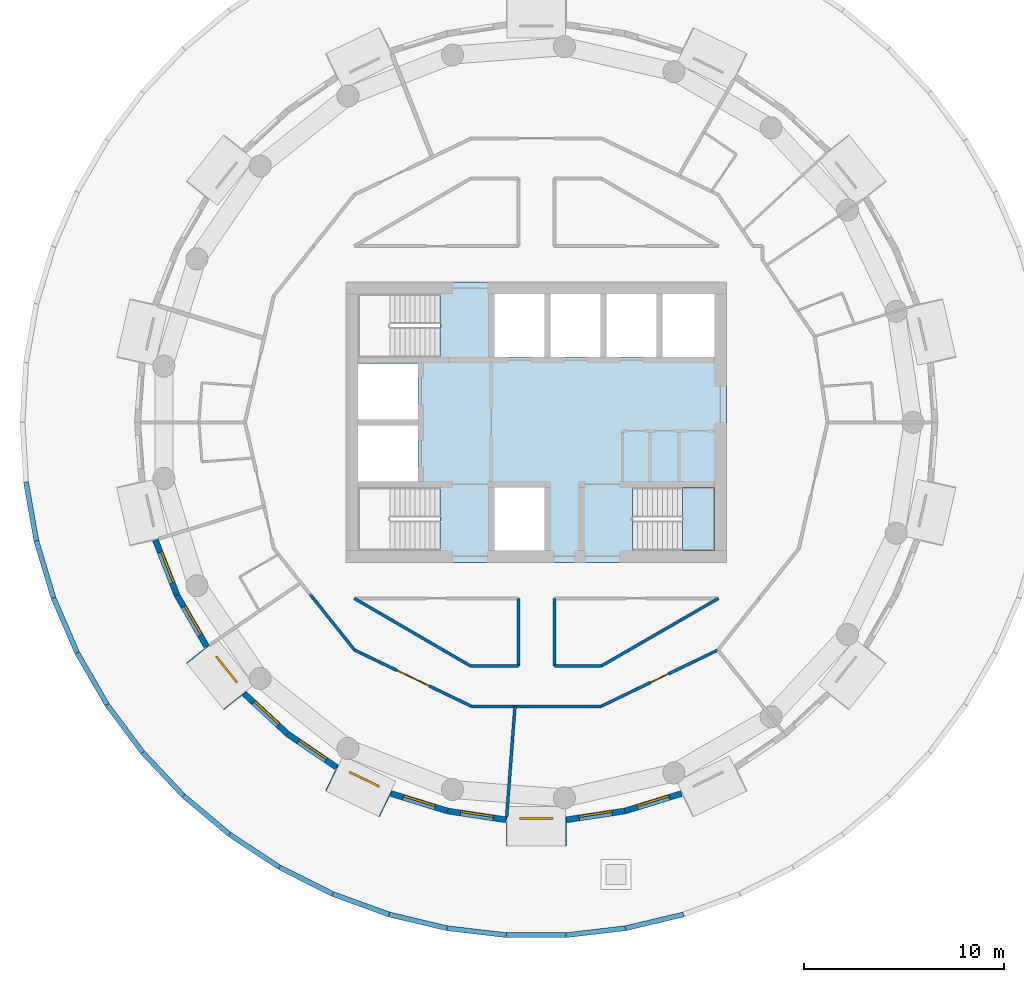
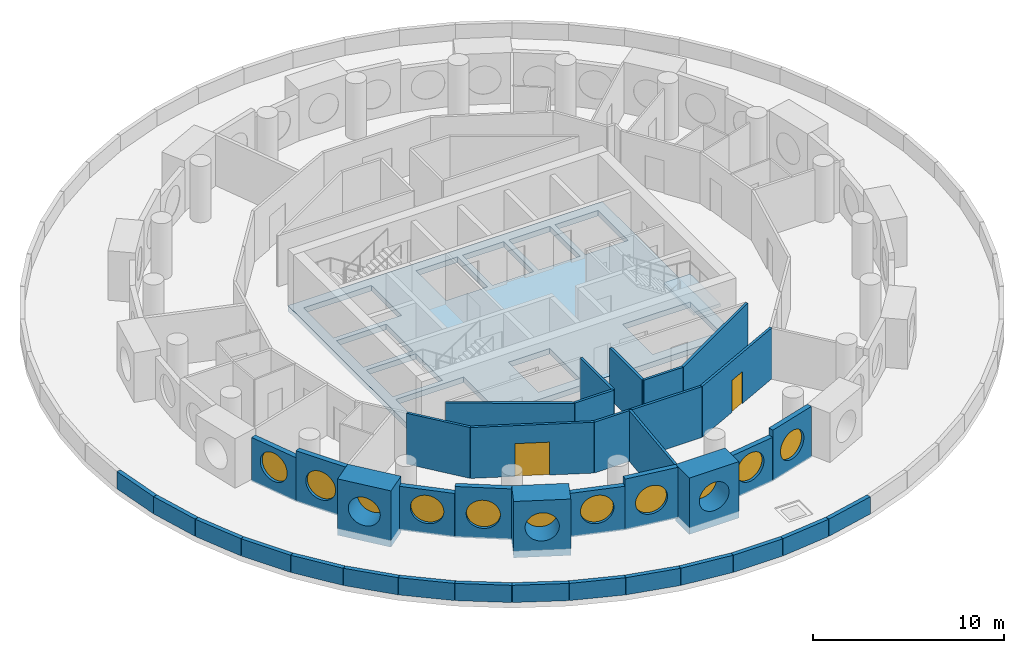
# One storey, part 2 of 13: 37 walls, 11 windows, 2 doors, 2 slabs, 13 openings, 1 element without a shape of its own.
"""IFC4 building model written with IfcOpenShell, lengths in metres."""

from ifc_helpers import new_model, si_unit, direction, frame, frame_2d, origin, origin_2d, place, context, subcontext, project, spatial, polyline, rectangle, circle, outline, extrude, material, layer, layer_set, type_object, element, fill, aggregate, save


model = new_model("IFC4")

# Units and contexts
model_context = context("Model", 3, precision=1e-05, world=origin(), true_north=direction((0.0, 1.0)))
body_context = subcontext(model_context, "Body", "Model", "MODEL_VIEW")
ifc_project = project(units=[si_unit("LENGTHUNIT", "METRE"), si_unit("AREAUNIT", "SQUARE_METRE"), si_unit("VOLUMEUNIT", "CUBIC_METRE"), si_unit("PLANEANGLEUNIT", "RADIAN"), si_unit("MASSUNIT", "GRAM", prefix="KILO")], contexts=[model_context])

# Site, building, storey
site_placement = place(None, origin())
site = spatial("IfcSite", under=ifc_project, at=site_placement, CompositionType="ELEMENT")
building_placement = place(site_placement, origin())
building = spatial("IfcBuilding", under=site, at=building_placement, Name="Tracery Tower", CompositionType="ELEMENT")
storey_placement = place(building_placement, frame((0.0, 0.0, 231.0)))
storey = spatial("IfcBuildingStorey", under=building, at=storey_placement, Name="L59", CompositionType="ELEMENT", Elevation=231.0)

# Slab
ifc_material_1 = material(Name="Concrete C40/50", Category="concrete")
ifc_layer_1 = layer(ifc_material_1, 0.35009765625)
ifc_layer_set_1 = layer_set([ifc_layer_1], Name="Core floor slab 350 C40")
slab_type_1 = type_object("IfcSlabType", Name="Core floor slab 350 C40", PredefinedType="FLOOR", material=ifc_layer_set_1)
slab_1_placement = place(storey_placement, frame((0.0, 0.0, -0.35009765625)))
element("IfcSlab", 1, at=slab_1_placement, inside=storey, type_object=slab_type_1, Name="L59 core floor 1", PredefinedType="FLOOR", context=body_context, shape_type="SweptSolid", body=[
    extrude(outline(polyline([(-9.5, 7.0), (9.5, 7.0), (9.5, -7.0), (-9.5, -7.0), (-9.5, 7.0)]), holes=[polyline([(8.89990234375, -6.39990234375), (8.89990234375, -3.25), (4.800537109375, -3.25), (4.800537109375, -6.39990234375), (8.89990234375, -6.39990234375)]), polyline([(8.89990234375, 3.25), (8.89990234375, 6.39990234375), (6.300048828125, 6.39990234375), (6.300048828125, 3.25), (8.89990234375, 3.25)]), polyline([(6.0, 3.25), (6.0, 6.39990234375), (3.5, 6.39990234375), (3.5, 3.25), (6.0, 3.25)]), polyline([(3.199951171875, 6.39990234375), (0.699951171875, 6.39990234375), (0.699951171875, 3.25), (3.199951171875, 3.25), (3.199951171875, 6.39990234375)]), polyline([(0.39990234375, -3.25), (-2.10009765625, -3.25), (-2.10009765625, -6.39990234375), (0.39990234375, -6.39990234375), (0.39990234375, -3.25)]), polyline([(0.39990234375, 6.39990234375), (-2.10009765625, 6.39990234375), (-2.10009765625, 3.25), (0.39990234375, 3.25), (0.39990234375, 6.39990234375)]), polyline([(-8.89990234375, -3.25), (-8.89990234375, -6.39990234375), (-4.800537109375, -6.39990234375), (-4.800537109375, -3.25), (-8.89990234375, -3.25)]), polyline([(-8.89990234375, 6.39990234375), (-8.89990234375, 3.25), (-4.800537109375, 3.25), (-4.800537109375, 6.39990234375), (-8.89990234375, 6.39990234375)]), polyline([(-5.89990234375, -2.949951171875), (-5.89990234375, -0.14990234375), (-8.89990234375, -0.14990234375), (-8.89990234375, -2.949951171875), (-5.89990234375, -2.949951171875)]), polyline([(-5.89990234375, 0.14990234375), (-5.89990234375, 2.949951171875), (-8.89990234375, 2.949951171875), (-8.89990234375, 0.14990234375), (-5.89990234375, 0.14990234375)])]), origin(), (0.0, 0.0, 1.0), 0.35009765625),
])

# Stair, slab
ifc_material_2 = material(Name="Concrete C32/40", Category="concrete")
stair_type = type_object("IfcStairType", Name="Core stair 22 risers", PredefinedType="HALF_TURN_STAIR", material=ifc_material_2)
stair_placement = place(storey_placement, origin())
stair = element("IfcStair", 2, at=stair_placement, inside=storey, type_object=stair_type, Name="L59 stair ST2", PredefinedType="HALF_TURN_STAIR")
ifc_material_3 = material(Name="Concrete C32/40", Category="concrete")
ifc_layer_2 = layer(ifc_material_3, 0.199951171875)
ifc_layer_set_2 = layer_set([ifc_layer_2], Name="Stair landing slab 200")
slab_type_2 = type_object("IfcSlabType", Name="Stair landing slab 200", PredefinedType="LANDING", material=ifc_layer_set_2)
slab_2_placement = place(storey_placement, frame((0.0, 0.0, 1.60009765625)))
slab_2 = element("IfcSlab", 3, at=slab_2_placement, type_object=slab_type_2, Name="ST2 landing 1", PredefinedType="LANDING", context=body_context, shape_type="SweptSolid", body=[
    extrude(outline(polyline([(7.29931640625, -6.39990234375), (8.89990234375, -6.39990234375), (8.89990234375, -3.25), (7.29931640625, -3.25), (7.29931640625, -6.39990234375)])), origin(), (0.0, 0.0, 1.0), 0.199951171875),
])
aggregate(stair, [slab_2])

# Wall, opening, window
ifc_material_4 = material(Name="Precast concrete C50/60", Category="concrete")
ifc_layer_3 = layer(ifc_material_4, 1.449951171875)
ifc_layer_set_3 = layer_set([ifc_layer_3], Name="Deep-set bay unit 3000 x 3600, slab edge 350")
wall_type_1 = type_object("IfcWallType", Name="Deep-set bay unit 3000 x 3600, slab edge 350", PredefinedType="ELEMENTEDWALL", material=ifc_layer_set_3)
wall_1_placement = place(storey_placement, frame((-16.916748046875, -11.572021484375, -0.35009765625), z_axis=(0.0, 0.0, 1.0), x_axis=(0.623523286312, -0.781804778335, 0.0)))
wall_1 = element("IfcWall", 4, at=wall_1_placement, inside=storey, type_object=wall_type_1, Name="Deep-set bay unit 26 at L59", PredefinedType="ELEMENTEDWALL", context=body_context, shape_type="SweptSolid", body=[
    extrude(rectangle(XDim=3.0, YDim=1.449951171875, at=frame_2d((1.5, 0.0))), origin(), (0.0, 0.0, 1.0), 3.60009765625),
])
opening_1_placement = place(wall_1_placement, frame((1.5, 0.0, 1.89990234375)))
opening_1 = element("IfcOpeningElement", 5, at=opening_1_placement, cuts=wall_1, Name="Opening WN1", PredefinedType="OPENING", context=body_context, shape_type="SweptSolid", body=[
    extrude(circle(Radius=0.9000244140625, at=origin_2d()), frame((0.0, 0.73486328125, 0.0), z_axis=(0.0, -1.0, 0.0), x_axis=(1.0, 0.0, 0.0)), (0.0, 0.0, 1.0), 1.469970703125),
])
ifc_material_5 = material(Name="Aluminium frame with tinted double glazing", Category="aluminium")
window_type = type_object("IfcWindowType", Name="Round window 1800", PartitioningType="SINGLE_PANEL", PredefinedType="WINDOW", material=ifc_material_5)
window_1_placement = place(opening_1_placement, origin())
window_1 = element("IfcWindow", 6, at=window_1_placement, inside=storey, type_object=window_type, Name="Round window 26 at L59", OverallHeight=1.800048828125, OverallWidth=1.800048828125, PartitioningType="SINGLE_PANEL", PredefinedType="WINDOW", context=body_context, shape_type="SweptSolid", body=[
    extrude(circle(Radius=0.9000244140625, at=origin_2d()), frame((0.0, 0.69482421875, 0.0), z_axis=(0.0, -1.0, 0.0), x_axis=(1.0, 0.0, 0.0)), (0.0, 0.0, 1.0), 0.10009765625),
])
fill(opening_1, window_1)

wall_2_placement = place(storey_placement, frame((-10.220458984375, -17.765869140625, -0.35009765625), z_axis=(0.0, 0.0, 1.0), x_axis=(0.900953362039, -0.433915935904, 0.0)))
wall_2 = element("IfcWall", 7, at=wall_2_placement, inside=storey, type_object=wall_type_1, Name="Deep-set bay unit 29 at L59", PredefinedType="ELEMENTEDWALL", context=body_context, shape_type="SweptSolid", body=[
    extrude(rectangle(XDim=3.0, YDim=1.449951171875, at=frame_2d((1.5, 0.0))), origin(), (0.0, 0.0, 1.0), 3.60009765625),
])
opening_2_placement = place(wall_2_placement, frame((1.5, 0.0, 1.89990234375)))
opening_2 = element("IfcOpeningElement", 8, at=opening_2_placement, cuts=wall_2, Name="Opening WN1", PredefinedType="OPENING", context=body_context, shape_type="SweptSolid", body=[
    extrude(circle(Radius=0.9000244140625, at=origin_2d()), frame((0.0, 0.73486328125, 0.0), z_axis=(0.0, -1.0, 0.0), x_axis=(1.0, 0.0, 0.0)), (0.0, 0.0, 1.0), 1.469970703125),
])
window_2_placement = place(opening_2_placement, origin())
window_2 = element("IfcWindow", 9, at=window_2_placement, inside=storey, type_object=window_type, Name="Round window 29 at L59", OverallHeight=1.800048828125, OverallWidth=1.800048828125, PartitioningType="SINGLE_PANEL", PredefinedType="WINDOW", context=body_context, shape_type="SweptSolid", body=[
    extrude(circle(Radius=0.9000244140625, at=origin_2d()), frame((0.0, 0.69482421875, 0.0), z_axis=(0.0, -1.0, 0.0), x_axis=(1.0, 0.0, 0.0)), (0.0, 0.0, 1.0), 0.10009765625),
])
fill(opening_2, window_2)

wall_3_placement = place(storey_placement, frame((-1.5, -20.441162109375, -0.35009765625), z_axis=(0.0, 0.0, 1.0), x_axis=(1.0, 0.0, 0.0)))
wall_3 = element("IfcWall", 10, at=wall_3_placement, inside=storey, type_object=wall_type_1, Name="Deep-set bay unit 32 at L59", PredefinedType="ELEMENTEDWALL", context=body_context, shape_type="SweptSolid", body=[
    extrude(rectangle(XDim=3.0, YDim=1.449951171875, at=frame_2d((1.5, 0.0))), origin(), (0.0, 0.0, 1.0), 3.60009765625),
])
opening_3_placement = place(wall_3_placement, frame((1.5, 0.0, 1.89990234375)))
opening_3 = element("IfcOpeningElement", 11, at=opening_3_placement, cuts=wall_3, Name="Opening WN1", PredefinedType="OPENING", context=body_context, shape_type="SweptSolid", body=[
    extrude(circle(Radius=0.9000244140625, at=origin_2d()), frame((0.0, 0.73486328125, 0.0), z_axis=(0.0, -1.0, 0.0), x_axis=(1.0, 0.0, 0.0)), (0.0, 0.0, 1.0), 1.469970703125),
])
window_3_placement = place(opening_3_placement, origin())
window_3 = element("IfcWindow", 12, at=window_3_placement, inside=storey, type_object=window_type, Name="Round window 32 at L59", OverallHeight=1.800048828125, OverallWidth=1.800048828125, PartitioningType="SINGLE_PANEL", PredefinedType="WINDOW", context=body_context, shape_type="SweptSolid", body=[
    extrude(circle(Radius=0.9000244140625, at=origin_2d()), frame((0.0, 0.69482421875, 0.0), z_axis=(0.0, -1.0, 0.0), x_axis=(1.0, 0.0, 0.0)), (0.0, 0.0, 1.0), 0.10009765625),
])
fill(opening_3, window_3)

ifc_material_6 = material(Name="Precast concrete C50/60", Category="concrete")
ifc_layer_4 = layer(ifc_material_6, 0.300048828125)
ifc_layer_set_4 = layer_set([ifc_layer_4], Name="Facade panel 3000 x 2800")
wall_type_2 = type_object("IfcWallType", Name="Facade panel 3000 x 2800", PredefinedType="SOLIDWALL", material=ifc_layer_set_4)
wall_4_placement = place(storey_placement, frame((-19.03125, -5.88623046875, 0.0), z_axis=(0.0, 0.0, 1.0), x_axis=(0.365343821297, -0.930872650925, 0.0)))
wall_4 = element("IfcWall", 13, at=wall_4_placement, inside=storey, type_object=wall_type_2, Name="Facade panel 24 at L59", PredefinedType="SOLIDWALL", context=body_context, shape_type="SweptSolid", body=[
    extrude(rectangle(XDim=2.96240234375, YDim=0.300048828125, at=frame_2d((1.481201171875, 0.0))), origin(), (0.0, 0.0, 1.0), 2.800048828125),
])
opening_4_placement = place(wall_4_placement, frame((1.48095703125, 0.0, 1.5498046875)))
opening_4 = element("IfcOpeningElement", 14, at=opening_4_placement, cuts=wall_4, Name="Opening WN1", PredefinedType="OPENING", context=body_context, shape_type="SweptSolid", body=[
    extrude(circle(Radius=0.9000244140625, at=origin_2d()), frame((0.0, 0.159912109375, 0.0), z_axis=(0.0, -1.0, 0.0), x_axis=(1.0, 0.0, 0.0)), (0.0, 0.0, 1.0), 0.320068359375),
])
window_4_placement = place(opening_4_placement, origin())
window_4 = element("IfcWindow", 15, at=window_4_placement, inside=storey, type_object=window_type, Name="Round window 24 at L59", OverallHeight=1.800048828125, OverallWidth=1.800048828125, PartitioningType="SINGLE_PANEL", PredefinedType="WINDOW", context=body_context, shape_type="SweptSolid", body=[
    extrude(circle(Radius=0.9000244140625, at=origin_2d()), frame((0.0, 0.1201171875, 0.0), z_axis=(0.0, -1.0, 0.0), x_axis=(1.0, 0.0, 0.0)), (0.0, 0.0, 1.0), 0.10009765625),
])
fill(opening_4, window_4)

wall_5_placement = place(storey_placement, frame((-14.592529296875, -13.560546875, 0.0), z_axis=(0.0, 0.0, 1.0), x_axis=(0.733028283666, -0.680198158882, 0.0)))
wall_5 = element("IfcWall", 16, at=wall_5_placement, inside=storey, type_object=wall_type_2, Name="Facade panel 27 at L59", PredefinedType="SOLIDWALL", context=body_context, shape_type="SweptSolid", body=[
    extrude(rectangle(XDim=2.962158203125, YDim=0.300048828125, at=frame_2d((1.48095703125, 0.0))), origin(), (0.0, 0.0, 1.0), 2.800048828125),
])
opening_5_placement = place(wall_5_placement, frame((1.48095703125, 0.0, 1.5498046875)))
opening_5 = element("IfcOpeningElement", 17, at=opening_5_placement, cuts=wall_5, Name="Opening WN1", PredefinedType="OPENING", context=body_context, shape_type="SweptSolid", body=[
    extrude(circle(Radius=0.9000244140625, at=origin_2d()), frame((0.0, 0.159912109375, 0.0), z_axis=(0.0, -1.0, 0.0), x_axis=(1.0, 0.0, 0.0)), (0.0, 0.0, 1.0), 0.320068359375),
])
window_5_placement = place(opening_5_placement, origin())
window_5 = element("IfcWindow", 18, at=window_5_placement, inside=storey, type_object=window_type, Name="Round window 27 at L59", OverallHeight=1.800048828125, OverallWidth=1.800048828125, PartitioningType="SINGLE_PANEL", PredefinedType="WINDOW", context=body_context, shape_type="SweptSolid", body=[
    extrude(circle(Radius=0.9000244140625, at=origin_2d()), frame((0.0, 0.1201171875, 0.0), z_axis=(0.0, -1.0, 0.0), x_axis=(1.0, 0.0, 0.0)), (0.0, 0.0, 1.0), 0.10009765625),
])
fill(opening_5, window_5)

wall_6_placement = place(storey_placement, frame((-7.263671875, -18.549072265625, 0.0), z_axis=(0.0, 0.0, 1.0), x_axis=(0.955555982805, -0.29480970765, 0.0)))
wall_6 = element("IfcWall", 19, at=wall_6_placement, inside=storey, type_object=wall_type_2, Name="Facade panel 30 at L59", PredefinedType="SOLIDWALL", context=body_context, shape_type="SweptSolid", body=[
    extrude(rectangle(XDim=2.962158203125, YDim=0.300048828125, at=frame_2d((1.48095703125, 0.0))), origin(), (0.0, 0.0, 1.0), 2.800048828125),
])
opening_6_placement = place(wall_6_placement, frame((1.48095703125, 0.0, 1.5498046875)))
opening_6 = element("IfcOpeningElement", 20, at=opening_6_placement, cuts=wall_6, Name="Opening WN1", PredefinedType="OPENING", context=body_context, shape_type="SweptSolid", body=[
    extrude(circle(Radius=0.9000244140625, at=origin_2d()), frame((0.0, 0.159912109375, 0.0), z_axis=(0.0, -1.0, 0.0), x_axis=(1.0, 0.0, 0.0)), (0.0, 0.0, 1.0), 0.320068359375),
])
window_6_placement = place(opening_6_placement, origin())
window_6 = element("IfcWindow", 21, at=window_6_placement, inside=storey, type_object=window_type, Name="Round window 30 at L59", OverallHeight=1.800048828125, OverallWidth=1.800048828125, PartitioningType="SINGLE_PANEL", PredefinedType="WINDOW", context=body_context, shape_type="SweptSolid", body=[
    extrude(circle(Radius=0.9000244140625, at=origin_2d()), frame((0.0, 0.1201171875, 0.0), z_axis=(0.0, -1.0, 0.0), x_axis=(1.0, 0.0, 0.0)), (0.0, 0.0, 1.0), 0.10009765625),
])
fill(opening_6, window_6)

wall_7_placement = place(storey_placement, frame((1.50390625, -19.86376953125, 0.0), z_axis=(0.0, 0.0, 1.0), x_axis=(0.988835775663, 0.149009425104, 0.0)))
wall_7 = element("IfcWall", 22, at=wall_7_placement, inside=storey, type_object=wall_type_2, Name="Facade panel 33 at L59", PredefinedType="SOLIDWALL", context=body_context, shape_type="SweptSolid", body=[
    extrude(rectangle(XDim=2.962158203125, YDim=0.300048828125, at=frame_2d((1.48095703125, 0.0))), origin(), (0.0, 0.0, 1.0), 2.800048828125),
])
opening_7_placement = place(wall_7_placement, frame((1.48095703125, 0.0, 1.5498046875)))
opening_7 = element("IfcOpeningElement", 23, at=opening_7_placement, cuts=wall_7, Name="Opening WN1", PredefinedType="OPENING", context=body_context, shape_type="SweptSolid", body=[
    extrude(circle(Radius=0.9000244140625, at=origin_2d()), frame((0.0, 0.159912109375, 0.0), z_axis=(0.0, -1.0, 0.0), x_axis=(1.0, 0.0, 0.0)), (0.0, 0.0, 1.0), 0.320068359375),
])
window_7_placement = place(opening_7_placement, origin())
window_7 = element("IfcWindow", 24, at=window_7_placement, inside=storey, type_object=window_type, Name="Round window 33 at L59", OverallHeight=1.800048828125, OverallWidth=1.800048828125, PartitioningType="SINGLE_PANEL", PredefinedType="WINDOW", context=body_context, shape_type="SweptSolid", body=[
    extrude(circle(Radius=0.9000244140625, at=origin_2d()), frame((0.0, 0.1201171875, 0.0), z_axis=(0.0, -1.0, 0.0), x_axis=(1.0, 0.0, 0.0)), (0.0, 0.0, 1.0), 0.10009765625),
])
fill(opening_7, window_7)

ifc_material_7 = material(Name="Precast concrete C50/60", Category="concrete")
ifc_layer_5 = layer(ifc_material_7, 0.300048828125)
ifc_layer_set_5 = layer_set([ifc_layer_5], Name="Facade panel 3000 x 3250")
wall_type_3 = type_object("IfcWallType", Name="Facade panel 3000 x 3250", PredefinedType="SOLIDWALL", material=ifc_layer_set_5)
wall_8_placement = place(storey_placement, frame((-17.948974609375, -8.643798828125, 0.0), z_axis=(0.0, 0.0, 1.0), x_axis=(0.500012570604, -0.866018146021, 0.0)))
wall_8 = element("IfcWall", 25, at=wall_8_placement, inside=storey, type_object=wall_type_3, Name="Facade panel 25 at L59", PredefinedType="SOLIDWALL", context=body_context, shape_type="SweptSolid", body=[
    extrude(rectangle(XDim=2.96240234375, YDim=0.300048828125, at=frame_2d((1.481201171875, 0.0))), origin(), (0.0, 0.0, 1.0), 3.25),
])
opening_8_placement = place(wall_8_placement, frame((1.48095703125, 0.0, 1.5498046875)))
opening_8 = element("IfcOpeningElement", 26, at=opening_8_placement, cuts=wall_8, Name="Opening WN1", PredefinedType="OPENING", context=body_context, shape_type="SweptSolid", body=[
    extrude(circle(Radius=0.9000244140625, at=origin_2d()), frame((0.0, 0.159912109375, 0.0), z_axis=(0.0, -1.0, 0.0), x_axis=(1.0, 0.0, 0.0)), (0.0, 0.0, 1.0), 0.320068359375),
])
window_8_placement = place(opening_8_placement, origin())
window_8 = element("IfcWindow", 27, at=window_8_placement, inside=storey, type_object=window_type, Name="Round window 25 at L59", OverallHeight=1.800048828125, OverallWidth=1.800048828125, PartitioningType="SINGLE_PANEL", PredefinedType="WINDOW", context=body_context, shape_type="SweptSolid", body=[
    extrude(circle(Radius=0.9000244140625, at=origin_2d()), frame((0.0, 0.1201171875, 0.0), z_axis=(0.0, -1.0, 0.0), x_axis=(1.0, 0.0, 0.0)), (0.0, 0.0, 1.0), 0.10009765625),
])
fill(opening_8, window_8)

wall_9_placement = place(storey_placement, frame((-12.421142578125, -15.575439453125, 0.0), z_axis=(0.0, 0.0, 1.0), x_axis=(0.826236061068, -0.563324037646, 0.0)))
wall_9 = element("IfcWall", 28, at=wall_9_placement, inside=storey, type_object=wall_type_3, Name="Facade panel 28 at L59", PredefinedType="SOLIDWALL", context=body_context, shape_type="SweptSolid", body=[
    extrude(rectangle(XDim=2.962158203125, YDim=0.300048828125, at=frame_2d((1.48095703125, 0.0))), origin(), (0.0, 0.0, 1.0), 3.25),
])
opening_9_placement = place(wall_9_placement, frame((1.48095703125, 0.0, 1.5498046875)))
opening_9 = element("IfcOpeningElement", 29, at=opening_9_placement, cuts=wall_9, Name="Opening WN1", PredefinedType="OPENING", context=body_context, shape_type="SweptSolid", body=[
    extrude(circle(Radius=0.9000244140625, at=origin_2d()), frame((0.0, 0.159912109375, 0.0), z_axis=(0.0, -1.0, 0.0), x_axis=(1.0, 0.0, 0.0)), (0.0, 0.0, 1.0), 0.320068359375),
])
window_9_placement = place(opening_9_placement, origin())
window_9 = element("IfcWindow", 30, at=window_9_placement, inside=storey, type_object=window_type, Name="Round window 28 at L59", OverallHeight=1.800048828125, OverallWidth=1.800048828125, PartitioningType="SINGLE_PANEL", PredefinedType="WINDOW", context=body_context, shape_type="SweptSolid", body=[
    extrude(circle(Radius=0.9000244140625, at=origin_2d()), frame((0.0, 0.1201171875, 0.0), z_axis=(0.0, -1.0, 0.0), x_axis=(1.0, 0.0, 0.0)), (0.0, 0.0, 1.0), 0.10009765625),
])
fill(opening_9, window_9)

wall_10_placement = place(storey_placement, frame((-4.43310546875, -19.42236328125, 0.0), z_axis=(0.0, 0.0, 1.0), x_axis=(0.988835775663, -0.149009425104, 0.0)))
wall_10 = element("IfcWall", 31, at=wall_10_placement, inside=storey, type_object=wall_type_3, Name="Facade panel 31 at L59", PredefinedType="SOLIDWALL", context=body_context, shape_type="SweptSolid", body=[
    extrude(rectangle(XDim=2.962158203125, YDim=0.300048828125, at=frame_2d((1.48095703125, 0.0))), origin(), (0.0, 0.0, 1.0), 3.25),
])
opening_10_placement = place(wall_10_placement, frame((1.48095703125, 0.0, 1.5498046875)))
opening_10 = element("IfcOpeningElement", 32, at=opening_10_placement, cuts=wall_10, Name="Opening WN1", PredefinedType="OPENING", context=body_context, shape_type="SweptSolid", body=[
    extrude(circle(Radius=0.9000244140625, at=origin_2d()), frame((0.0, 0.159912109375, 0.0), z_axis=(0.0, -1.0, 0.0), x_axis=(1.0, 0.0, 0.0)), (0.0, 0.0, 1.0), 0.320068359375),
])
window_10_placement = place(opening_10_placement, origin())
window_10 = element("IfcWindow", 33, at=window_10_placement, inside=storey, type_object=window_type, Name="Round window 31 at L59", OverallHeight=1.800048828125, OverallWidth=1.800048828125, PartitioningType="SINGLE_PANEL", PredefinedType="WINDOW", context=body_context, shape_type="SweptSolid", body=[
    extrude(circle(Radius=0.9000244140625, at=origin_2d()), frame((0.0, 0.1201171875, 0.0), z_axis=(0.0, -1.0, 0.0), x_axis=(1.0, 0.0, 0.0)), (0.0, 0.0, 1.0), 0.10009765625),
])
fill(opening_10, window_10)

wall_11_placement = place(storey_placement, frame((4.43310546875, -19.42236328125, 0.0), z_axis=(0.0, 0.0, 1.0), x_axis=(0.955555982805, 0.29480970765, 0.0)))
wall_11 = element("IfcWall", 34, at=wall_11_placement, inside=storey, type_object=wall_type_3, Name="Facade panel 34 at L59", PredefinedType="SOLIDWALL", context=body_context, shape_type="SweptSolid", body=[
    extrude(rectangle(XDim=2.962158203125, YDim=0.300048828125, at=frame_2d((1.48095703125, 0.0))), origin(), (0.0, 0.0, 1.0), 3.25),
])
opening_11_placement = place(wall_11_placement, frame((1.48095703125, 0.0, 1.5498046875)))
opening_11 = element("IfcOpeningElement", 35, at=opening_11_placement, cuts=wall_11, Name="Opening WN1", PredefinedType="OPENING", context=body_context, shape_type="SweptSolid", body=[
    extrude(circle(Radius=0.9000244140625, at=origin_2d()), frame((0.0, 0.159912109375, 0.0), z_axis=(0.0, -1.0, 0.0), x_axis=(1.0, 0.0, 0.0)), (0.0, 0.0, 1.0), 0.320068359375),
])
window_11_placement = place(opening_11_placement, origin())
window_11 = element("IfcWindow", 36, at=window_11_placement, inside=storey, type_object=window_type, Name="Round window 34 at L59", OverallHeight=1.800048828125, OverallWidth=1.800048828125, PartitioningType="SINGLE_PANEL", PredefinedType="WINDOW", context=body_context, shape_type="SweptSolid", body=[
    extrude(circle(Radius=0.9000244140625, at=origin_2d()), frame((0.0, 0.1201171875, 0.0), z_axis=(0.0, -1.0, 0.0), x_axis=(1.0, 0.0, 0.0)), (0.0, 0.0, 1.0), 0.10009765625),
])
fill(opening_11, window_11)

# Walls
ifc_material_8 = material(Name="Plasterboard on steel studs", Category="steel")
ifc_layer_6 = layer(ifc_material_8, 0.14990234375)
ifc_layer_set_6 = layer_set([ifc_layer_6], Name="Partition 150 acoustic unit wall")
wall_type_4 = type_object("IfcWallType", Name="Partition 150 acoustic unit wall", PredefinedType="PARTITIONING", material=ifc_layer_set_6)
wall_12_placement = place(storey_placement, frame((-1.47802734375, -19.716064453125, 0.0), z_axis=(0.0, 0.0, 1.0), x_axis=(0.074745027699, 0.997202677912, 0.0)))
element("IfcWall", 37, at=wall_12_placement, inside=storey, type_object=wall_type_4, Name="Unit wall RC1-069", PredefinedType="PARTITIONING", context=body_context, shape_type="SweptSolid", body=[
    extrude(rectangle(XDim=5.53955078125, YDim=0.14990234375, at=frame_2d((2.769775390625, 0.0))), origin(), (0.0, 0.0, 1.0), 3.25),
])
ifc_material_9 = material(Name="Plasterboard on steel studs", Category="steel")
ifc_layer_7 = layer(ifc_material_9, 0.14990234375)
ifc_layer_set_7 = layer_set([ifc_layer_7], Name="Partition 150 corridor wall")
wall_type_5 = type_object("IfcWallType", Name="Partition 150 corridor wall", PredefinedType="PARTITIONING", material=ifc_layer_set_7)
wall_13_placement = place(storey_placement, frame((-9.092041015625, -8.800048828125, 0.0), z_axis=(0.0, 0.0, 1.0), x_axis=(0.864470922103, -0.502682827277, 0.0)))
element("IfcWall", 38, at=wall_13_placement, inside=storey, type_object=wall_type_5, Name="Corridor wall RC1-012", PredefinedType="PARTITIONING", context=body_context, shape_type="SweptSolid", body=[
    extrude(rectangle(XDim=6.7353515625, YDim=0.14990234375, at=frame_2d((3.36767578125, 0.0))), origin(), (0.0, 0.0, 1.0), 3.25),
])
wall_14_placement = place(storey_placement, frame((-11.300048828125, -8.59619140625, 0.0), z_axis=(0.0, 0.0, 1.0), x_axis=(0.623165080354, -0.782090328944, 0.0)))
element("IfcWall", 39, at=wall_14_placement, inside=storey, type_object=wall_type_5, Name="Corridor wall RC1-015", PredefinedType="PARTITIONING", context=body_context, shape_type="SweptSolid", body=[
    extrude(rectangle(XDim=3.56396484375, YDim=0.14990234375, at=frame_2d((1.781982421875, 0.0))), origin(), (0.0, 0.0, 1.0), 3.25),
])
wall_15_placement = place(storey_placement, frame((-3.260986328125, -12.1708984375, 0.0), z_axis=(0.0, 0.0, 1.0), x_axis=(1.0, 0.0, 0.0)))
element("IfcWall", 40, at=wall_15_placement, inside=storey, type_object=wall_type_5, Name="Corridor wall RC1-037", PredefinedType="PARTITIONING", context=body_context, shape_type="SweptSolid", body=[
    extrude(rectangle(XDim=2.361083984375, YDim=0.14990234375, at=frame_2d((1.1806640625, 0.0))), origin(), (0.0, 0.0, 1.0), 3.25),
])
for number, where, z_axis, x_axis, name in (
    (41, (-0.89990234375, -12.1708984375, 0.0), (0.0, 0.0, 1.0), (0.0, 1.0, 0.0), "Corridor wall RC1-038"),
    (42, (0.89990234375, -12.1708984375, 0.0), (0.0, 0.0, 1.0), (0.0, 1.0, 0.0), "Corridor wall RC1-039"),
):
    element("IfcWall", number, at=place(storey_placement, frame(where, z_axis=z_axis, x_axis=x_axis)), inside=storey, type_object=wall_type_5, Name=name, PredefinedType="PARTITIONING", context=body_context, shape_type="SweptSolid", body=[
        extrude(rectangle(XDim=3.370849609375, YDim=0.14990234375, at=frame_2d((1.685546875, 0.0))), origin(), (0.0, 0.0, 1.0), 3.25),
    ])
wall_16_placement = place(storey_placement, frame((0.89990234375, -12.1708984375, 0.0), z_axis=(0.0, 0.0, 1.0), x_axis=(1.0, 0.0, 0.0)))
element("IfcWall", 43, at=wall_16_placement, inside=storey, type_object=wall_type_5, Name="Corridor wall RC1-040", PredefinedType="PARTITIONING", context=body_context, shape_type="SweptSolid", body=[
    extrude(rectangle(XDim=2.361083984375, YDim=0.14990234375, at=frame_2d((1.1806640625, 0.0))), origin(), (0.0, 0.0, 1.0), 3.25),
])
wall_17_placement = place(storey_placement, frame((3.260986328125, -12.1708984375, 0.0), z_axis=(0.0, 0.0, 1.0), x_axis=(0.866066809554, 0.499928276245, 0.0)))
element("IfcWall", 44, at=wall_17_placement, inside=storey, type_object=wall_type_5, Name="Corridor wall RC1-041", PredefinedType="PARTITIONING", context=body_context, shape_type="SweptSolid", body=[
    extrude(rectangle(XDim=6.74267578125, YDim=0.14990234375, at=frame_2d((3.371337890625, 0.0))), origin(), (0.0, 0.0, 1.0), 3.25),
])
wall_18_placement = place(storey_placement, frame((-3.239013671875, -14.19189453125, 0.0), z_axis=(0.0, 0.0, 1.0), x_axis=(1.0, 0.0, 0.0)))
element("IfcWall", 45, at=wall_18_placement, inside=storey, type_object=wall_type_5, Name="Corridor wall RC1-042", PredefinedType="PARTITIONING", context=body_context, shape_type="SweptSolid", body=[
    extrude(rectangle(XDim=6.47802734375, YDim=0.14990234375, at=frame_2d((3.239013671875, 0.0))), origin(), (0.0, 0.0, 1.0), 3.25),
])

# Wall, opening, door
wall_19_placement = place(storey_placement, frame((-9.075927734375, -11.381103515625, 0.0), z_axis=(0.0, 0.0, 1.0), x_axis=(0.900976027191, -0.433868872388, 0.0)))
wall_19 = element("IfcWall", 46, at=wall_19_placement, inside=storey, type_object=wall_type_5, Name="Corridor wall RC1-043", PredefinedType="PARTITIONING", context=body_context, shape_type="SweptSolid", body=[
    extrude(rectangle(XDim=6.478515625, YDim=0.14990234375, at=frame_2d((3.2392578125, 0.0))), origin(), (0.0, 0.0, 1.0), 3.25),
])
opening_12_placement = place(wall_19_placement, frame((2.339599609375, 0.0, 0.0)))
opening_12 = element("IfcOpeningElement", 47, at=opening_12_placement, cuts=wall_19, Name="Opening RC1-20", PredefinedType="OPENING", context=body_context, shape_type="SweptSolid", body=[
    extrude(rectangle(XDim=1.800048828125, YDim=2.10009765625, at=frame_2d((0.89990234375, 1.050048828125))), frame((0.0, 0.074951171875, 0.0), z_axis=(0.0, -1.0, 0.0), x_axis=(1.0, 0.0, 0.0)), (0.0, 0.0, 1.0), 0.14990234375),
])
ifc_material_10 = material(Name="Timber door leaf", Category="wood")
door_type_1 = type_object("IfcDoorType", Name="Door double lounge 1800", OperationType="NOTDEFINED", PredefinedType="DOOR", material=ifc_material_10)
door_1_placement = place(opening_12_placement, origin())
door_1 = element("IfcDoor", 48, at=door_1_placement, inside=storey, type_object=door_type_1, Name="Double lounge door RC1-20", OperationType="DOUBLE_DOOR_SINGLE_SWING", OverallHeight=2.10009765625, OverallWidth=1.800048828125, PredefinedType="DOOR", context=body_context, shape_type="SweptSolid", body=[
    extrude(rectangle(XDim=1.800048828125, YDim=2.10009765625, at=frame_2d((0.89990234375, 1.050048828125))), frame((0.0, 0.02490234375, 0.0), z_axis=(0.0, -1.0, 0.0), x_axis=(1.0, 0.0, 0.0)), (0.0, 0.0, 1.0), 0.050048828125),
])
fill(opening_12, door_1)

wall_20_placement = place(storey_placement, frame((3.239013671875, -14.19189453125, 0.0), z_axis=(0.0, 0.0, 1.0), x_axis=(0.900976027191, 0.433868872388, 0.0)))
wall_20 = element("IfcWall", 49, at=wall_20_placement, inside=storey, type_object=wall_type_5, Name="Corridor wall RC1-044", PredefinedType="PARTITIONING", context=body_context, shape_type="SweptSolid", body=[
    extrude(rectangle(XDim=6.478515625, YDim=0.14990234375, at=frame_2d((3.2392578125, 0.0))), origin(), (0.0, 0.0, 1.0), 3.25),
])
opening_13_placement = place(wall_20_placement, frame((2.739501953125, 0.0, 0.0)))
opening_13 = element("IfcOpeningElement", 50, at=opening_13_placement, cuts=wall_20, Name="Opening RC1-21", PredefinedType="OPENING", context=body_context, shape_type="SweptSolid", body=[
    extrude(rectangle(XDim=1.0, YDim=2.0400390625, at=frame_2d((0.5, 1.02001953125))), frame((0.0, 0.074951171875, 0.0), z_axis=(0.0, -1.0, 0.0), x_axis=(1.0, 0.0, 0.0)), (0.0, 0.0, 1.0), 0.14990234375),
])
ifc_material_11 = material(Name="Timber door leaf", Category="wood")
door_type_2 = type_object("IfcDoorType", Name="Door communal room 1000", OperationType="NOTDEFINED", PredefinedType="DOOR", material=ifc_material_11)
door_2_placement = place(opening_13_placement, origin())
door_2 = element("IfcDoor", 51, at=door_2_placement, inside=storey, type_object=door_type_2, Name="Communal room door RC1-21", OperationType="SINGLE_SWING_LEFT", OverallHeight=2.0400390625, OverallWidth=1.0, PredefinedType="DOOR", context=body_context, shape_type="SweptSolid", body=[
    extrude(rectangle(XDim=1.0, YDim=2.0400390625, at=frame_2d((0.5, 1.02001953125))), frame((0.0, 0.02490234375, 0.0), z_axis=(0.0, -1.0, 0.0), x_axis=(1.0, 0.0, 0.0)), (0.0, 0.0, 1.0), 0.050048828125),
])
fill(opening_13, door_2)

# Walls
ifc_material_12 = material(Name="Precast concrete C50/60", Category="concrete")
ifc_layer_8 = layer(ifc_material_12, 0.25)
ifc_layer_set_8 = layer_set([ifc_layer_8], Name="Terrace parapet 250")
wall_type_6 = type_object("IfcWallType", Name="Terrace parapet 250", PredefinedType="PARAPET", material=ifc_layer_set_8)
for number, where, z_axis, x_axis, name in (
    (52, (-25.49755859375, -2.988525390625, 0.0), (0.0, 0.0, 1.0), (0.173672747481, -0.984803420375, 0.0), "Terrace parapet L59 29"),
    (53, (-24.97802734375, -5.928466796875, 0.0), (0.0, 0.0, 1.0), (0.286744288162, -0.958007157179, 0.0), "Terrace parapet L59 30"),
    (54, (-24.12109375, -8.7880859375, 0.0), (0.0, 0.0, 1.0), (0.396111502738, -0.918202416354, 0.0), "Terrace parapet L59 31"),
):
    element("IfcWall", number, at=place(storey_placement, frame(where, z_axis=z_axis, x_axis=x_axis)), inside=storey, type_object=wall_type_6, Name=name, PredefinedType="PARAPET", context=body_context, shape_type="SweptSolid", body=[
        extrude(rectangle(XDim=2.968994140625, YDim=0.25, at=frame_2d((1.484375, 0.0))), origin(), (0.0, 0.0, 1.0), 1.10009765625),
    ])
for number, where, z_axis, x_axis, name in (
    (55, (-22.9375, -11.529052734375, 0.0), (0.0, 0.0, 1.0), (0.499995331975, -0.866028098853, 0.0), "Terrace parapet L59 32"),
    (56, (-21.444091796875, -14.114013671875, 0.0), (0.0, 0.0, 1.0), (0.597180604303, -0.802106804512, 0.0), "Terrace parapet L59 33"),
    (57, (-19.66064453125, -16.508056640625, 0.0), (0.0, 0.0, 1.0), (0.686249159737, -0.727366544982, 0.0), "Terrace parapet L59 34"),
    (58, (-17.611083984375, -18.6787109375, 0.0), (0.0, 0.0, 1.0), (0.766012577195, -0.642825584104, 0.0), "Terrace parapet L59 35"),
    (59, (-15.323486328125, -20.596923828125, 0.0), (0.0, 0.0, 1.0), (0.83543794874, -0.549584783092, 0.0), "Terrace parapet L59 36"),
    (60, (-12.828857421875, -22.23681640625, 0.0), (0.0, 0.0, 1.0), (0.893652841429, -0.448758954235, 0.0), "Terrace parapet L59 37"),
):
    element("IfcWall", number, at=place(storey_placement, frame(where, z_axis=z_axis, x_axis=x_axis)), inside=storey, type_object=wall_type_6, Name=name, PredefinedType="PARAPET", context=body_context, shape_type="SweptSolid", body=[
        extrude(rectangle(XDim=2.96875, YDim=0.25, at=frame_2d((1.484375, 0.0))), origin(), (0.0, 0.0, 1.0), 1.10009765625),
    ])
for number, where, z_axis, x_axis, name in (
    (61, (-10.16064453125, -23.57568359375, 0.0), (0.0, 0.0, 1.0), (0.93970456121, -0.341987335498, 0.0), "Terrace parapet L59 38"),
    (62, (-7.35498046875, -24.595947265625, 0.0), (0.0, 0.0, 1.0), (0.973053589201, -0.230579080886, 0.0), "Terrace parapet L59 39"),
):
    element("IfcWall", number, at=place(storey_placement, frame(where, z_axis=z_axis, x_axis=x_axis)), inside=storey, type_object=wall_type_6, Name=name, PredefinedType="PARAPET", context=body_context, shape_type="SweptSolid", body=[
        extrude(rectangle(XDim=2.968994140625, YDim=0.25, at=frame_2d((1.484375, 0.0))), origin(), (0.0, 0.0, 1.0), 1.10009765625),
    ])
for number, where, z_axis, x_axis, name in (
    (63, (-4.44970703125, -25.283447265625, 0.0), (0.0, 0.0, 1.0), (0.993235661957, -0.116115975715, 0.0), "Terrace parapet L59 40"),
    (64, (-1.484375, -25.629150390625, 0.0), (0.0, 0.0, 1.0), (1.0, 0.0, 0.0), "Terrace parapet L59 41"),
    (65, (1.5009765625, -25.628173828125, 0.0), (0.0, 0.0, 1.0), (0.993235661957, 0.116115975715, 0.0), "Terrace parapet L59 42"),
):
    element("IfcWall", number, at=place(storey_placement, frame(where, z_axis=z_axis, x_axis=x_axis)), inside=storey, type_object=wall_type_6, Name=name, PredefinedType="PARAPET", context=body_context, shape_type="SweptSolid", body=[
        extrude(rectangle(XDim=2.96875, YDim=0.25, at=frame_2d((1.484375, 0.0))), origin(), (0.0, 0.0, 1.0), 1.10009765625),
    ])
wall_21_placement = place(storey_placement, frame((4.466064453125, -25.280517578125, 0.0), z_axis=(0.0, 0.0, 1.0), x_axis=(0.973053589201, 0.230579080886, 0.0)))
element("IfcWall", 66, at=wall_21_placement, inside=storey, type_object=wall_type_6, Name="Terrace parapet L59 43", PredefinedType="PARAPET", context=body_context, shape_type="SweptSolid", body=[
    extrude(rectangle(XDim=2.968994140625, YDim=0.25, at=frame_2d((1.484375, 0.0))), origin(), (0.0, 0.0, 1.0), 1.10009765625),
])

save(model, "model.ifc")
